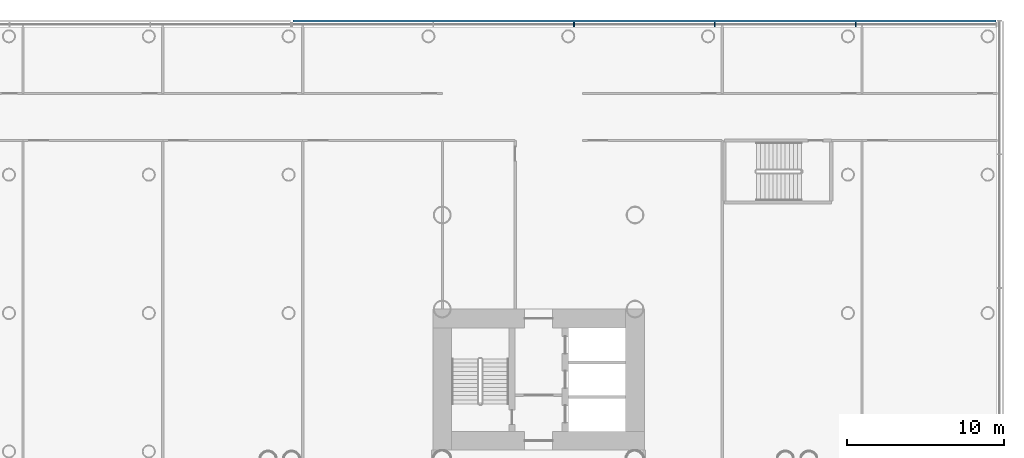
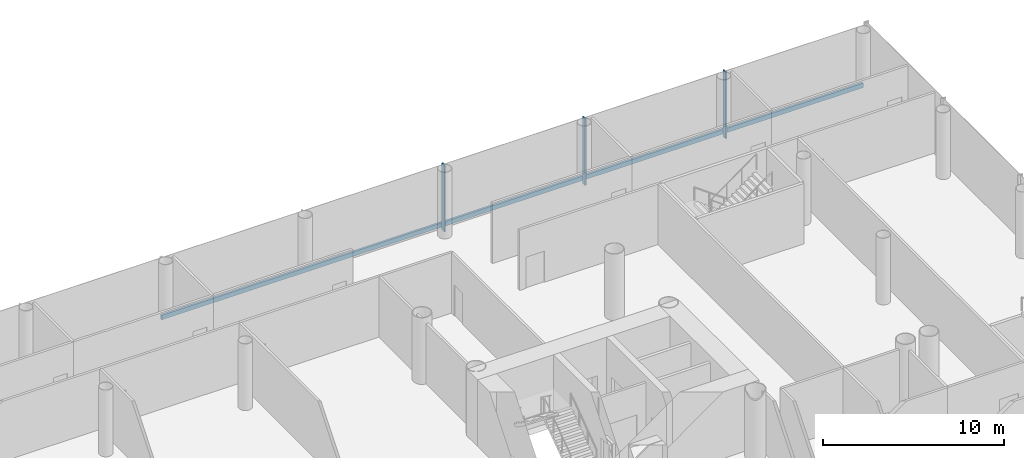
# One storey, part 12 of 51: 4 members, 1 element without a shape of its own.
"""IFC4 building model written with IfcOpenShell, lengths in metres."""

from ifc_helpers import new_model, si_unit, direction, frame, origin, origin_2d, place, context, subcontext, project, spatial, rectangle, extrude, material, layer, layer_set, material_profile, profile_set, type_object, element, aggregate, save


model = new_model("IFC4")

# Units and contexts
model_context = context("Model", 3, precision=1e-05, world=origin(), true_north=direction((0.0, 1.0)))
body_context = subcontext(model_context, "Body", "Model", "MODEL_VIEW")
ifc_project = project(units=[si_unit("LENGTHUNIT", "METRE"), si_unit("AREAUNIT", "SQUARE_METRE"), si_unit("VOLUMEUNIT", "CUBIC_METRE"), si_unit("PLANEANGLEUNIT", "RADIAN"), si_unit("MASSUNIT", "GRAM", prefix="KILO")], contexts=[model_context])

# Site, building, storey
site_placement = place(None, origin())
site = spatial("IfcSite", under=ifc_project, at=site_placement, CompositionType="ELEMENT")
building_placement = place(site_placement, origin())
building = spatial("IfcBuilding", under=site, at=building_placement, Name="Ipe Terrace Towers", CompositionType="ELEMENT")
storey_placement = place(building_placement, frame((0.0, 0.0, 15.5)))
storey = spatial("IfcBuildingStorey", under=building, at=storey_placement, Name="L03", CompositionType="ELEMENT", Elevation=15.5)

# Curtain wall, members
ifc_material_1 = material(Name="Aluminium alloy 6063-T6", Category="aluminium")
ifc_layer = layer(ifc_material_1, 0.43994140625)
ifc_layer_set = layer_set([ifc_layer], Name="PODIUM GLAZING CURTAIN WALL")
curtain_wall_type = type_object("IfcCurtainWallType", Name="PODIUM GLAZING CURTAIN WALL", PredefinedType="NOTDEFINED", material=ifc_layer_set)
curtain_wall_placement = place(storey_placement, origin())
curtain_wall = element("IfcCurtainWall", 1, at=curtain_wall_placement, inside=storey, type_object=curtain_wall_type, Name="POD-CW-L03-01a curtain wall", PredefinedType="NOTDEFINED")
ifc_material_2 = material(Name="Aluminium alloy 6063-T6", Category="aluminium")
ifc_material_profile_1 = material_profile(ifc_material_2, rectangle(XDim=0.300048828125, YDim=0.080078125, at=origin_2d()), Name="PODIUM GLAZING MULLION 300 x 80")
ifc_profile_set_1 = profile_set([ifc_material_profile_1], Name="Aluminium alloy 6063-T6")
member_type_1 = type_object("IfcMemberType", Name="PODIUM GLAZING MULLION 300 x 80", PredefinedType="MULLION", material=ifc_profile_set_1)
member_1_placement = place(storey_placement, frame((56.22607421875, 33.89990234375, -0.300048828125), z_axis=(0.0, 0.0, 1.0), x_axis=(0.0, 1.0, 0.0)))
member_1 = element("IfcMember", 2, at=member_1_placement, type_object=member_type_1, Name="POD-CW-L03-01a mullion 2", PredefinedType="MULLION", context=body_context, shape_type="SweptSolid", body=[
    extrude(rectangle(XDim=0.300048828125, YDim=0.080078125, at=origin_2d()), origin(), (0.0, 0.0, 1.0), 4.5),
])
member_2_placement = place(storey_placement, frame((47.241943359375, 33.89990234375, -0.300048828125), z_axis=(0.0, 0.0, 1.0), x_axis=(0.0, 1.0, 0.0)))
member_2 = element("IfcMember", 3, at=member_2_placement, type_object=member_type_1, Name="POD-CW-L03-01a mullion 3", PredefinedType="MULLION", context=body_context, shape_type="SweptSolid", body=[
    extrude(rectangle(XDim=0.300048828125, YDim=0.080078125, at=origin_2d()), origin(), (0.0, 0.0, 1.0), 4.5),
])
member_3_placement = place(storey_placement, frame((38.258056640625, 33.89990234375, -0.300048828125), z_axis=(0.0, 0.0, 1.0), x_axis=(0.0, 1.0, 0.0)))
member_3 = element("IfcMember", 4, at=member_3_placement, type_object=member_type_1, Name="POD-CW-L03-01a mullion 4", PredefinedType="MULLION", context=body_context, shape_type="SweptSolid", body=[
    extrude(rectangle(XDim=0.300048828125, YDim=0.080078125, at=origin_2d()), origin(), (0.0, 0.0, 1.0), 4.5),
])
ifc_material_3 = material(Name="Aluminium alloy 6063-T6", Category="aluminium")
ifc_material_profile_2 = material_profile(ifc_material_3, rectangle(XDim=0.139892578125, YDim=0.300048828125, at=origin_2d()), Name="PODIUM GLAZING TRANSOM 140 x 300")
ifc_profile_set_2 = profile_set([ifc_material_profile_2], Name="Aluminium alloy 6063-T6")
member_type_2 = type_object("IfcMemberType", Name="PODIUM GLAZING TRANSOM 140 x 300", PredefinedType="USERDEFINED", material=ifc_profile_set_2)
member_4_placement = place(storey_placement, frame((65.169921875, 34.1201171875, 0.0), z_axis=(-1.0, 0.0, 0.0), x_axis=(0.0, 1.0, 0.0)))
member_4 = element("IfcMember", 5, at=member_4_placement, type_object=member_type_2, Name="POD-CW-L03-01a transom", ObjectType="TRANSOM", PredefinedType="USERDEFINED", context=body_context, shape_type="SweptSolid", body=[
    extrude(rectangle(XDim=0.139892578125, YDim=0.300048828125, at=origin_2d()), origin(), (0.0, 0.0, 1.0), 44.83984375),
])
aggregate(curtain_wall, [member_1, member_2, member_3, member_4])

save(model, "model.ifc")
